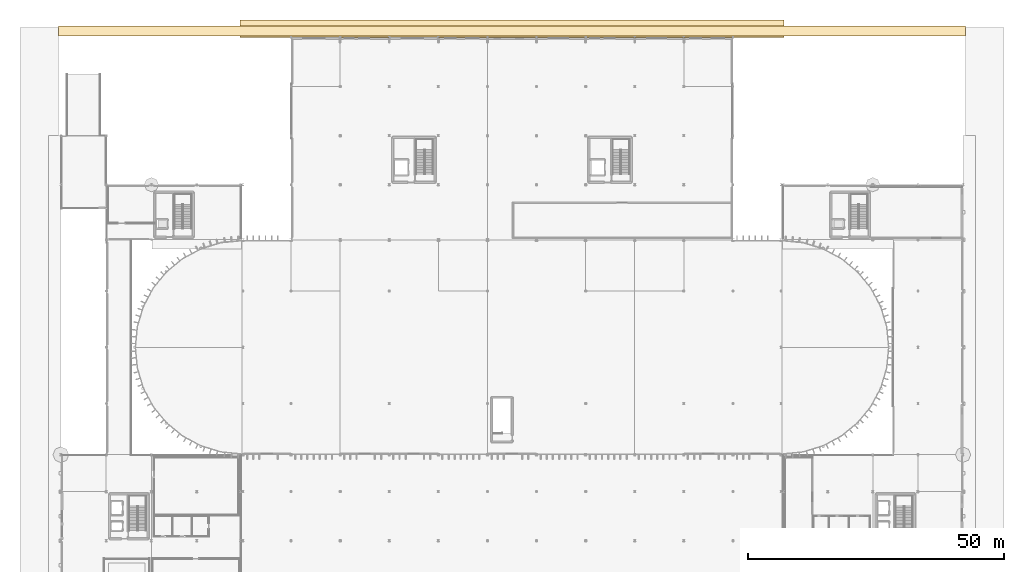
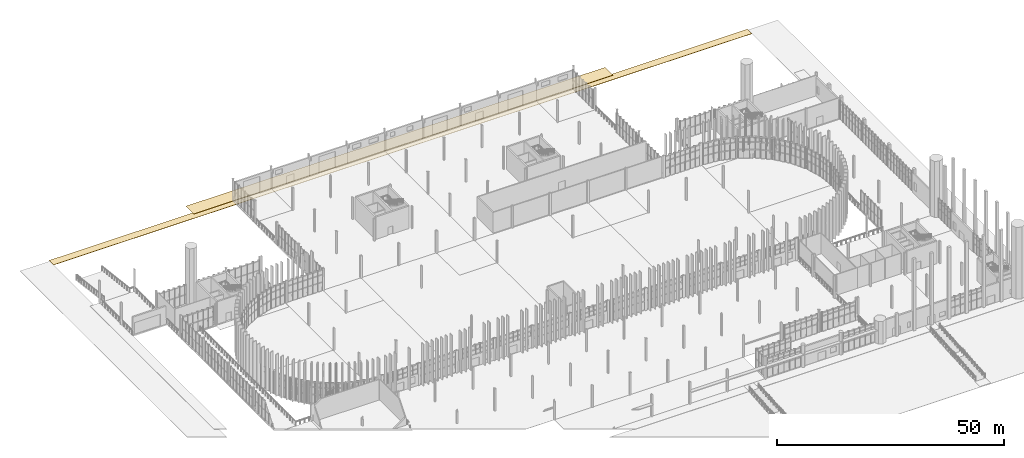
# One storey, part 137 of 139: 2 coverings.
"""IFC4 building model written with IfcOpenShell, lengths in metres."""

from ifc_helpers import new_model, si_unit, direction, frame, origin, place, context, subcontext, project, spatial, polyline, outline, extrude, material, layer, layer_set, type_object, element, save


model = new_model("IFC4")

# Units and contexts
model_context = context("Model", 3, precision=1e-05, world=origin(), true_north=direction((0.0, 1.0)))
body_context = subcontext(model_context, "Body", "Model", "MODEL_VIEW")
ifc_project = project(units=[si_unit("LENGTHUNIT", "METRE"), si_unit("AREAUNIT", "SQUARE_METRE"), si_unit("VOLUMEUNIT", "CUBIC_METRE"), si_unit("PLANEANGLEUNIT", "RADIAN"), si_unit("MASSUNIT", "GRAM", prefix="KILO")], contexts=[model_context])

# Site, building, storey
site_placement = place(None, origin())
site = spatial("IfcSite", under=ifc_project, at=site_placement, CompositionType="ELEMENT")
building_placement = place(site_placement, origin())
building = spatial("IfcBuilding", under=site, at=building_placement, Name="Yeouljin Market Hall", CompositionType="ELEMENT")
storey_placement = place(building_placement, origin())
storey = spatial("IfcBuildingStorey", under=building, at=storey_placement, Name="L00", CompositionType="ELEMENT", Elevation=0.0)

# Coverings
ifc_material_1 = material(Name="Pocheon Granite Stone", Category="masonry")
ifc_layer_1 = layer(ifc_material_1, 0.080078125)
ifc_layer_set_1 = layer_set([ifc_layer_1], Name="Pocheon Granite Stone")
covering_type_1 = type_object("IfcCoveringType", Name="Covering_Boulevard_PlazaPaving", PredefinedType="USERDEFINED", material=ifc_layer_set_1)
covering_1_placement = place(storey_placement, frame((0.0, 0.0, -1.52001953125)))
element("IfcCovering", 1, at=covering_1_placement, inside=storey, type_object=covering_type_1, Name="Yeouljin Boulevard street-grade granite paving BLVD-PAV-NORTH", ObjectType="PAVING", PredefinedType="USERDEFINED", context=body_context, shape_type="SweptSolid", body=[
    extrude(outline(polyline([(-0.449951171875, 117.85009765625), (176.85009765625, 117.85009765625), (176.85009765625, 119.800048828125), (-0.449951171875, 119.800048828125), (-0.449951171875, 117.85009765625)])), origin(), (0.0, 0.0, 1.0), 0.080078125),
])
ifc_material_2 = material(Name="Pocheon Granite Stone", Category="masonry")
ifc_layer_2 = layer(ifc_material_2, 0.050048828125)
ifc_layer_set_2 = layer_set([ifc_layer_2], Name="Pocheon Granite Stone")
covering_type_2 = type_object("IfcCoveringType", Name="Covering_Granite_PlinthPaving", PredefinedType="FLOORING", material=ifc_layer_set_2)
covering_2_placement = place(storey_placement, frame((0.0, 0.0, -0.050048828125)))
element("IfcCovering", 2, at=covering_2_placement, inside=storey, type_object=covering_type_2, Name="Granite plinth exterior apron PAV-NORTH-YARD", PredefinedType="FLOORING", context=body_context, shape_type="SweptSolid", body=[
    extrude(outline(polyline([(35.0, 117.550048828125), (141.39990234375, 117.550048828125), (141.39990234375, 121.0), (35.0, 121.0), (35.0, 117.550048828125)])), origin(), (0.0, 0.0, 1.0), 0.050048828125),
])

save(model, "model.ifc")
